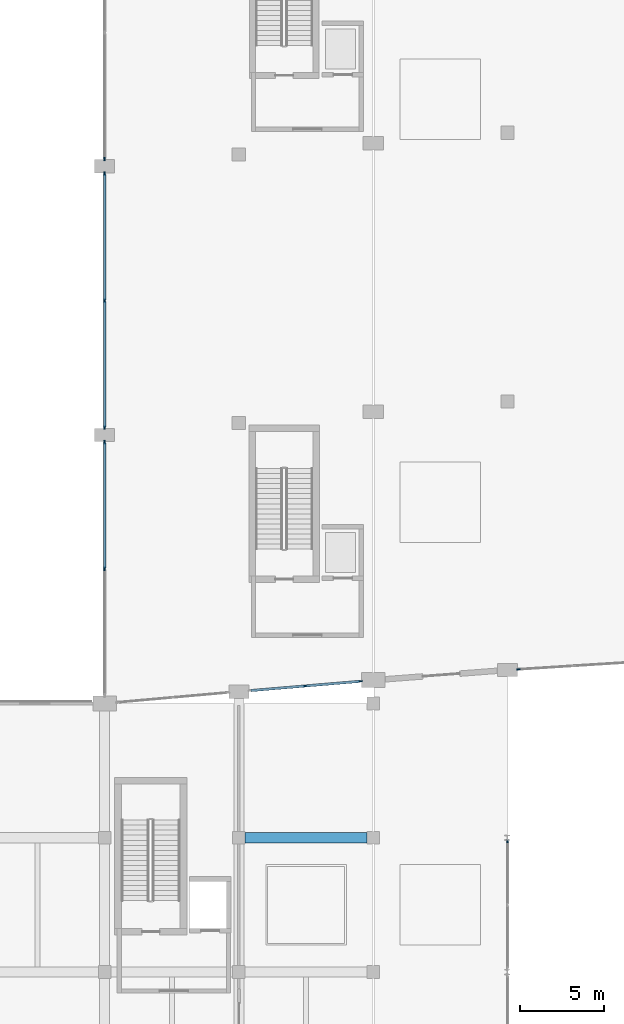
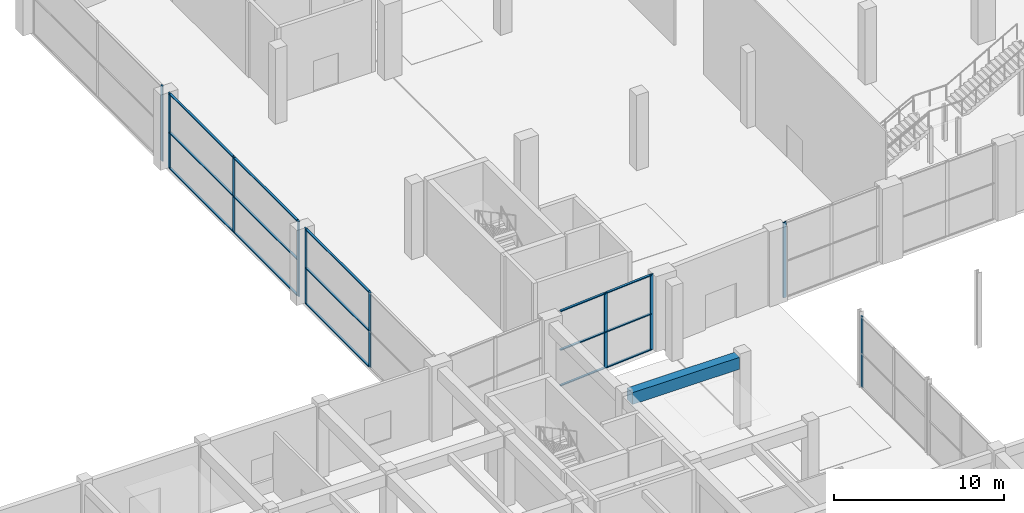
# One storey, part 28 of 86: 25 members, 1 beam, 6 elements without a shape of their own.
"""IFC4 building model written with IfcOpenShell, lengths in metres."""

from ifc_helpers import new_model, si_unit, direction, frame, origin, origin_2d, place, context, subcontext, project, spatial, rectangle, extrude, material, material_profile, profile_set, type_object, element, aggregate, save


model = new_model("IFC4")

# Units and contexts
model_context = context("Model", 3, precision=1e-05, world=origin(), true_north=direction((0.0, 1.0)))
body_context = subcontext(model_context, "Body", "Model", "MODEL_VIEW")
ifc_project = project(units=[si_unit("LENGTHUNIT", "METRE"), si_unit("AREAUNIT", "SQUARE_METRE"), si_unit("VOLUMEUNIT", "CUBIC_METRE"), si_unit("PLANEANGLEUNIT", "RADIAN"), si_unit("MASSUNIT", "GRAM", prefix="KILO")], contexts=[model_context])

# Site, building, storey
site_placement = place(None, origin())
site = spatial("IfcSite", under=ifc_project, at=site_placement, CompositionType="ELEMENT")
building_placement = place(site_placement, origin())
building = spatial("IfcBuilding", under=site, at=building_placement, Name="Kenh Van Central Station", CompositionType="ELEMENT")
storey_placement = place(building_placement, origin())
storey = spatial("IfcBuildingStorey", under=building, at=storey_placement, Name="L00", CompositionType="ELEMENT", Elevation=0.0)

# Beam
ifc_material_1 = material(Name="Concrete C35/45", Category="concrete")
ifc_material_profile_1 = material_profile(ifc_material_1, rectangle(XDim=0.60009765625, YDim=0.85009765625, at=origin_2d()), Name="RC 600x850")
ifc_profile_set_1 = profile_set([ifc_material_profile_1], Name="Concrete C35/45")
beam_type = type_object("IfcBeamType", Name="BM-RC-600x850", PredefinedType="BEAM", material=ifc_profile_set_1)
beam_placement = place(storey_placement, frame((40.364990234375, 56.0, 4.695068359375), z_axis=(1.0, 0.0, 0.0), x_axis=(0.0, 1.0, 0.0)))
element("IfcBeam", 1, at=beam_placement, inside=storey, type_object=beam_type, Name="L00 beam 0440", PredefinedType="BEAM", context=body_context, shape_type="SweptSolid", body=[
    extrude(rectangle(XDim=0.60009765625, YDim=0.85009765625, at=origin_2d()), origin(), (0.0, 0.0, 1.0), 7.27001953125),
])

# Curtain wall, members
ifc_material_2 = material(Name="Champagne anodised aluminium", Category="aluminium")
curtain_wall_type_1 = type_object("IfcCurtainWallType", Name="CW-HALL-A", PredefinedType="NOTDEFINED", material=ifc_material_2)
curtain_wall_1_placement = place(storey_placement, origin())
curtain_wall_1 = element("IfcCurtainWall", 2, at=curtain_wall_1_placement, inside=storey, type_object=curtain_wall_type_1, Name="L00 curtain wall 016", PredefinedType="NOTDEFINED")
ifc_material_profile_2 = material_profile(ifc_material_2, rectangle(XDim=0.08203125, YDim=0.22509765625, at=origin_2d()), Name="AL 82x225")
ifc_profile_set_2 = profile_set([ifc_material_profile_2], Name="Champagne anodised aluminium")
member_type_1 = type_object("IfcMemberType", Name="CWM-70x180", PredefinedType="MULLION", material=ifc_profile_set_2)
member_1_placement = place(storey_placement, frame((32.0, 72.02490234375, 0.0), z_axis=(0.0, 0.0, 1.0), x_axis=(-1.0, 0.0, 0.0)))
member_1 = element("IfcMember", 3, at=member_1_placement, type_object=member_type_1, Name="CW-01 mullion 2", PredefinedType="MULLION", context=body_context, shape_type="SweptSolid", body=[
    extrude(rectangle(XDim=0.08203125, YDim=0.22509765625, at=origin_2d()), origin(), (0.0, 0.0, 1.0), 5.39990234375),
])
member_2_placement = place(storey_placement, frame((32.0, 79.55908203125, 0.0), z_axis=(0.0, 0.0, 1.0), x_axis=(-1.0, 0.0, 0.0)))
member_2 = element("IfcMember", 4, at=member_2_placement, type_object=member_type_1, Name="CW-01 mullion 3", PredefinedType="MULLION", context=body_context, shape_type="SweptSolid", body=[
    extrude(rectangle(XDim=0.08203125, YDim=0.22509765625, at=origin_2d()), origin(), (0.0, 0.0, 1.0), 5.39990234375),
])

curtain_wall_2_placement = place(storey_placement, origin())
curtain_wall_2 = element("IfcCurtainWall", 5, at=curtain_wall_2_placement, inside=storey, type_object=curtain_wall_type_1, Name="L00 curtain wall 017", PredefinedType="NOTDEFINED")
member_3_placement = place(storey_placement, frame((32.0, 80.44091796875, 0.0), z_axis=(0.0, 0.0, 1.0), x_axis=(-1.0, 0.0, 0.0)))
member_3 = element("IfcMember", 6, at=member_3_placement, type_object=member_type_1, Name="CW-01 mullion 1", PredefinedType="MULLION", context=body_context, shape_type="SweptSolid", body=[
    extrude(rectangle(XDim=0.08203125, YDim=0.22509765625, at=origin_2d()), origin(), (0.0, 0.0, 1.0), 5.39990234375),
])
member_4_placement = place(storey_placement, frame((32.0, 88.0, 0.0), z_axis=(0.0, 0.0, 1.0), x_axis=(-1.0, 0.0, 0.0)))
member_4 = element("IfcMember", 7, at=member_4_placement, type_object=member_type_1, Name="CW-01 mullion 2", PredefinedType="MULLION", context=body_context, shape_type="SweptSolid", body=[
    extrude(rectangle(XDim=0.08203125, YDim=0.22509765625, at=origin_2d()), origin(), (0.0, 0.0, 1.0), 5.39990234375),
])
member_5_placement = place(storey_placement, frame((32.0, 95.55908203125, 0.0), z_axis=(0.0, 0.0, 1.0), x_axis=(-1.0, 0.0, 0.0)))
member_5 = element("IfcMember", 8, at=member_5_placement, type_object=member_type_1, Name="CW-01 mullion 3", PredefinedType="MULLION", context=body_context, shape_type="SweptSolid", body=[
    extrude(rectangle(XDim=0.08203125, YDim=0.22509765625, at=origin_2d()), origin(), (0.0, 0.0, 1.0), 5.39990234375),
])

# Curtain wall, member
curtain_wall_3_placement = place(storey_placement, origin())
curtain_wall_3 = element("IfcCurtainWall", 9, at=curtain_wall_3_placement, inside=storey, type_object=curtain_wall_type_1, Name="L00 curtain wall 018", PredefinedType="NOTDEFINED")
member_6_placement = place(storey_placement, frame((32.0, 96.44091796875, 0.0), z_axis=(0.0, 0.0, 1.0), x_axis=(-1.0, 0.0, 0.0)))
member_6 = element("IfcMember", 10, at=member_6_placement, type_object=member_type_1, Name="CW-01 mullion 1", PredefinedType="MULLION", context=body_context, shape_type="SweptSolid", body=[
    extrude(rectangle(XDim=0.08203125, YDim=0.22509765625, at=origin_2d()), origin(), (0.0, 0.0, 1.0), 5.39990234375),
])
aggregate(curtain_wall_3, [member_6])

curtain_wall_type_2 = type_object("IfcCurtainWallType", Name="CW-CONC-B", PredefinedType="NOTDEFINED", material=ifc_material_2)
curtain_wall_4_placement = place(storey_placement, origin())
curtain_wall_4 = element("IfcCurtainWall", 11, at=curtain_wall_4_placement, inside=storey, type_object=curtain_wall_type_2, Name="L00 curtain wall 030", PredefinedType="NOTDEFINED")
member_7_placement = place(storey_placement, frame((56.0, 55.80908203125, 0.0), z_axis=(0.0, 0.0, 1.0), x_axis=(-1.0, 0.0, 0.0)))
member_7 = element("IfcMember", 12, at=member_7_placement, type_object=member_type_1, Name="CW-04 mullion 3", PredefinedType="MULLION", context=body_context, shape_type="SweptSolid", body=[
    extrude(rectangle(XDim=0.08203125, YDim=0.22509765625, at=origin_2d()), origin(), (0.0, 0.0, 1.0), 5.10009765625),
])
aggregate(curtain_wall_4, [member_7])

# Curtain wall, members
curtain_wall_5_placement = place(storey_placement, origin())
curtain_wall_5 = element("IfcCurtainWall", 13, at=curtain_wall_5_placement, inside=storey, type_object=curtain_wall_type_1, Name="L00 curtain wall 002", PredefinedType="NOTDEFINED")
ifc_material_profile_3 = material_profile(ifc_material_2, rectangle(XDim=0.080078125, YDim=0.219970703125, at=origin_2d()), Name="AL 80x220")
ifc_profile_set_3 = profile_set([ifc_material_profile_3], Name="Champagne anodised aluminium")
member_type_2 = type_object("IfcMemberType", Name="CWM-80x220", PredefinedType="MULLION", material=ifc_profile_set_3)
member_8_placement = place(storey_placement, frame((43.9482421875, 65.0458984375, 0.0), z_axis=(0.0, 0.0, 1.0), x_axis=(-0.084244265333, 0.996445133341, 0.0)))
member_8 = element("IfcMember", 14, at=member_8_placement, type_object=member_type_2, Name="CW-01 mullion 2", PredefinedType="MULLION", context=body_context, shape_type="SweptSolid", body=[
    extrude(rectangle(XDim=0.080078125, YDim=0.219970703125, at=origin_2d()), origin(), (0.0, 0.0, 1.0), 5.39990234375),
])
member_9_placement = place(storey_placement, frame((47.227294921875, 65.3232421875, 0.0), z_axis=(0.0, 0.0, 1.0), x_axis=(-0.084244265333, 0.996445133341, 0.0)))
member_9 = element("IfcMember", 15, at=member_9_placement, type_object=member_type_2, Name="CW-01 mullion 3", PredefinedType="MULLION", context=body_context, shape_type="SweptSolid", body=[
    extrude(rectangle(XDim=0.080078125, YDim=0.219970703125, at=origin_2d()), origin(), (0.0, 0.0, 1.0), 5.39990234375),
])

# Curtain wall, member
curtain_wall_6_placement = place(storey_placement, origin())
curtain_wall_6 = element("IfcCurtainWall", 16, at=curtain_wall_6_placement, inside=storey, type_object=curtain_wall_type_1, Name="L00 curtain wall 004", PredefinedType="NOTDEFINED")
member_10_placement = place(storey_placement, frame((56.662841796875, 66.037109375, 0.0), z_axis=(0.0, 0.0, 1.0), x_axis=(-0.063211477724, 0.998000154852, 0.0)))
member_10 = element("IfcMember", 17, at=member_10_placement, type_object=member_type_2, Name="CW-01 mullion 1", PredefinedType="MULLION", context=body_context, shape_type="SweptSolid", body=[
    extrude(rectangle(XDim=0.080078125, YDim=0.219970703125, at=origin_2d()), origin(), (0.0, 0.0, 1.0), 5.39990234375),
])
aggregate(curtain_wall_6, [member_10])

# Member
ifc_material_profile_4 = material_profile(ifc_material_2, rectangle(XDim=0.14990234375, YDim=0.070068359375, at=origin_2d()), Name="AL 150x70")
ifc_profile_set_4 = profile_set([ifc_material_profile_4], Name="Champagne anodised aluminium")
member_type_3 = type_object("IfcMemberType", Name="CWT-150x70", PredefinedType="USERDEFINED", material=ifc_profile_set_4)
member_11_placement = place(storey_placement, frame((40.708984375, 64.77197265625, 0.034912109375), z_axis=(0.996444876406, 0.084247304316, 0.0), x_axis=(-0.084247304316, 0.996444876406, 0.0)))
member_11 = element("IfcMember", 18, at=member_11_placement, type_object=member_type_3, Name="CW-01 transom 1.1", ObjectType="TRANSOM", PredefinedType="USERDEFINED", context=body_context, shape_type="SweptSolid", body=[
    extrude(rectangle(XDim=0.14990234375, YDim=0.070068359375, at=origin_2d()), origin(), (0.0, 0.0, 1.0), 3.2109375),
])

member_12_placement = place(storey_placement, frame((40.708984375, 64.77197265625, 2.592041015625), z_axis=(0.996444876406, 0.084247304316, 0.0), x_axis=(-0.084247304316, 0.996444876406, 0.0)))
member_12 = element("IfcMember", 19, at=member_12_placement, type_object=member_type_3, Name="CW-01 transom 1.2", ObjectType="TRANSOM", PredefinedType="USERDEFINED", context=body_context, shape_type="SweptSolid", body=[
    extrude(rectangle(XDim=0.14990234375, YDim=0.070068359375, at=origin_2d()), origin(), (0.0, 0.0, 1.0), 3.2109375),
])

member_13_placement = place(storey_placement, frame((40.708984375, 64.77197265625, 5.364990234375), z_axis=(0.996444876406, 0.084247304316, 0.0), x_axis=(-0.084247304316, 0.996444876406, 0.0)))
member_13 = element("IfcMember", 20, at=member_13_placement, type_object=member_type_3, Name="CW-01 transom 1.3", ObjectType="TRANSOM", PredefinedType="USERDEFINED", context=body_context, shape_type="SweptSolid", body=[
    extrude(rectangle(XDim=0.14990234375, YDim=0.070068359375, at=origin_2d()), origin(), (0.0, 0.0, 1.0), 3.2109375),
])

member_14_placement = place(storey_placement, frame((43.988037109375, 65.04931640625, 0.034912109375), z_axis=(0.996444876406, 0.084247304316, 0.0), x_axis=(-0.084247304316, 0.996444876406, 0.0)))
member_14 = element("IfcMember", 21, at=member_14_placement, type_object=member_type_3, Name="CW-01 transom 2.1", ObjectType="TRANSOM", PredefinedType="USERDEFINED", context=body_context, shape_type="SweptSolid", body=[
    extrude(rectangle(XDim=0.14990234375, YDim=0.070068359375, at=origin_2d()), origin(), (0.0, 0.0, 1.0), 3.2109375),
])

member_15_placement = place(storey_placement, frame((43.988037109375, 65.04931640625, 2.592041015625), z_axis=(0.996444876406, 0.084247304316, 0.0), x_axis=(-0.084247304316, 0.996444876406, 0.0)))
member_15 = element("IfcMember", 22, at=member_15_placement, type_object=member_type_3, Name="CW-01 transom 2.2", ObjectType="TRANSOM", PredefinedType="USERDEFINED", context=body_context, shape_type="SweptSolid", body=[
    extrude(rectangle(XDim=0.14990234375, YDim=0.070068359375, at=origin_2d()), origin(), (0.0, 0.0, 1.0), 3.2109375),
])

member_16_placement = place(storey_placement, frame((43.988037109375, 65.04931640625, 5.364990234375), z_axis=(0.996444876406, 0.084247304316, 0.0), x_axis=(-0.084247304316, 0.996444876406, 0.0)))
member_16 = element("IfcMember", 23, at=member_16_placement, type_object=member_type_3, Name="CW-01 transom 2.3", ObjectType="TRANSOM", PredefinedType="USERDEFINED", context=body_context, shape_type="SweptSolid", body=[
    extrude(rectangle(XDim=0.14990234375, YDim=0.070068359375, at=origin_2d()), origin(), (0.0, 0.0, 1.0), 3.2109375),
])

aggregate(curtain_wall_5, [member_8, member_9, member_11, member_12, member_13, member_14, member_15, member_16])

member_17_placement = place(storey_placement, frame((32.0, 72.06591796875, 0.034912109375), z_axis=(0.0, 1.0, 0.0), x_axis=(-1.0, 0.0, 0.0)))
member_17 = element("IfcMember", 24, at=member_17_placement, type_object=member_type_3, Name="CW-01 transom 2.1", ObjectType="TRANSOM", PredefinedType="USERDEFINED", context=body_context, shape_type="SweptSolid", body=[
    extrude(rectangle(XDim=0.14990234375, YDim=0.070068359375, at=origin_2d()), origin(), (0.0, 0.0, 1.0), 7.4521484375),
])

member_18_placement = place(storey_placement, frame((32.0, 72.06591796875, 2.592041015625), z_axis=(0.0, 1.0, 0.0), x_axis=(-1.0, 0.0, 0.0)))
member_18 = element("IfcMember", 25, at=member_18_placement, type_object=member_type_3, Name="CW-01 transom 2.2", ObjectType="TRANSOM", PredefinedType="USERDEFINED", context=body_context, shape_type="SweptSolid", body=[
    extrude(rectangle(XDim=0.14990234375, YDim=0.070068359375, at=origin_2d()), origin(), (0.0, 0.0, 1.0), 7.4521484375),
])

member_19_placement = place(storey_placement, frame((32.0, 72.06591796875, 5.364990234375), z_axis=(0.0, 1.0, 0.0), x_axis=(-1.0, 0.0, 0.0)))
member_19 = element("IfcMember", 26, at=member_19_placement, type_object=member_type_3, Name="CW-01 transom 2.3", ObjectType="TRANSOM", PredefinedType="USERDEFINED", context=body_context, shape_type="SweptSolid", body=[
    extrude(rectangle(XDim=0.14990234375, YDim=0.070068359375, at=origin_2d()), origin(), (0.0, 0.0, 1.0), 7.4521484375),
])

aggregate(curtain_wall_1, [member_1, member_2, member_17, member_18, member_19])

member_20_placement = place(storey_placement, frame((32.0, 80.48193359375, 0.034912109375), z_axis=(0.0, 1.0, 0.0), x_axis=(-1.0, 0.0, 0.0)))
member_20 = element("IfcMember", 27, at=member_20_placement, type_object=member_type_3, Name="CW-01 transom 1.1", ObjectType="TRANSOM", PredefinedType="USERDEFINED", context=body_context, shape_type="SweptSolid", body=[
    extrude(rectangle(XDim=0.14990234375, YDim=0.070068359375, at=origin_2d()), origin(), (0.0, 0.0, 1.0), 7.47705078125),
])

member_21_placement = place(storey_placement, frame((32.0, 80.48193359375, 2.592041015625), z_axis=(0.0, 1.0, 0.0), x_axis=(-1.0, 0.0, 0.0)))
member_21 = element("IfcMember", 28, at=member_21_placement, type_object=member_type_3, Name="CW-01 transom 1.2", ObjectType="TRANSOM", PredefinedType="USERDEFINED", context=body_context, shape_type="SweptSolid", body=[
    extrude(rectangle(XDim=0.14990234375, YDim=0.070068359375, at=origin_2d()), origin(), (0.0, 0.0, 1.0), 7.47705078125),
])

member_22_placement = place(storey_placement, frame((32.0, 80.48193359375, 5.364990234375), z_axis=(0.0, 1.0, 0.0), x_axis=(-1.0, 0.0, 0.0)))
member_22 = element("IfcMember", 29, at=member_22_placement, type_object=member_type_3, Name="CW-01 transom 1.3", ObjectType="TRANSOM", PredefinedType="USERDEFINED", context=body_context, shape_type="SweptSolid", body=[
    extrude(rectangle(XDim=0.14990234375, YDim=0.070068359375, at=origin_2d()), origin(), (0.0, 0.0, 1.0), 7.47705078125),
])

member_23_placement = place(storey_placement, frame((32.0, 88.041015625, 0.034912109375), z_axis=(0.0, 1.0, 0.0), x_axis=(-1.0, 0.0, 0.0)))
member_23 = element("IfcMember", 30, at=member_23_placement, type_object=member_type_3, Name="CW-01 transom 2.1", ObjectType="TRANSOM", PredefinedType="USERDEFINED", context=body_context, shape_type="SweptSolid", body=[
    extrude(rectangle(XDim=0.14990234375, YDim=0.070068359375, at=origin_2d()), origin(), (0.0, 0.0, 1.0), 7.47705078125),
])

member_24_placement = place(storey_placement, frame((32.0, 88.041015625, 2.592041015625), z_axis=(0.0, 1.0, 0.0), x_axis=(-1.0, 0.0, 0.0)))
member_24 = element("IfcMember", 31, at=member_24_placement, type_object=member_type_3, Name="CW-01 transom 2.2", ObjectType="TRANSOM", PredefinedType="USERDEFINED", context=body_context, shape_type="SweptSolid", body=[
    extrude(rectangle(XDim=0.14990234375, YDim=0.070068359375, at=origin_2d()), origin(), (0.0, 0.0, 1.0), 7.47705078125),
])

member_25_placement = place(storey_placement, frame((32.0, 88.041015625, 5.364990234375), z_axis=(0.0, 1.0, 0.0), x_axis=(-1.0, 0.0, 0.0)))
member_25 = element("IfcMember", 32, at=member_25_placement, type_object=member_type_3, Name="CW-01 transom 2.3", ObjectType="TRANSOM", PredefinedType="USERDEFINED", context=body_context, shape_type="SweptSolid", body=[
    extrude(rectangle(XDim=0.14990234375, YDim=0.070068359375, at=origin_2d()), origin(), (0.0, 0.0, 1.0), 7.47705078125),
])

aggregate(curtain_wall_2, [member_3, member_4, member_5, member_20, member_21, member_22, member_23, member_24, member_25])

save(model, "model.ifc")
